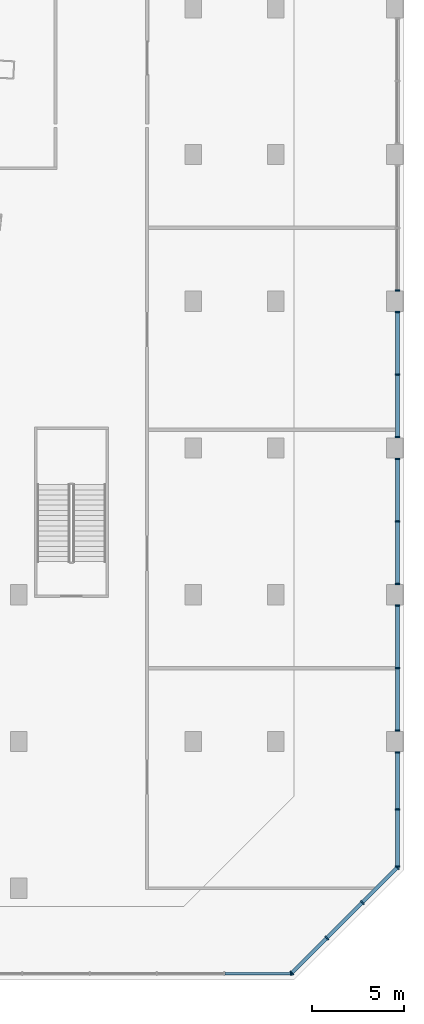
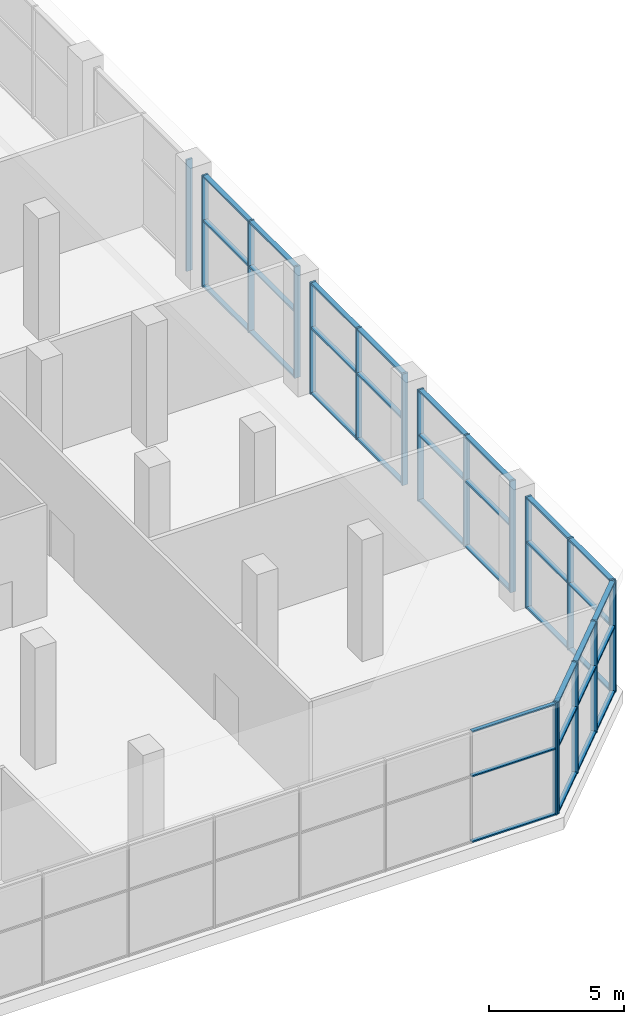
# One storey, part 4 of 26: 54 members, 7 elements without a shape of their own.
"""IFC4 building model written with IfcOpenShell, lengths in metres."""

from ifc_helpers import new_model, si_unit, direction, frame, origin, origin_2d, place, context, subcontext, project, spatial, rectangle, extrude, material, layer, layer_set, material_profile, profile_set, type_object, element, aggregate, save


model = new_model("IFC4")

# Units and contexts
model_context = context("Model", 3, precision=1e-05, world=origin(), true_north=direction((0.0, 1.0)))
body_context = subcontext(model_context, "Body", "Model", "MODEL_VIEW")
ifc_project = project(units=[si_unit("LENGTHUNIT", "METRE"), si_unit("AREAUNIT", "SQUARE_METRE"), si_unit("VOLUMEUNIT", "CUBIC_METRE"), si_unit("PLANEANGLEUNIT", "RADIAN"), si_unit("MASSUNIT", "GRAM", prefix="KILO")], contexts=[model_context])

# Site, building, storey
site_placement = place(None, origin())
site = spatial("IfcSite", under=ifc_project, at=site_placement, CompositionType="ELEMENT")
building_placement = place(site_placement, origin())
building = spatial("IfcBuilding", under=site, at=building_placement, Name="Alderwake Tower", CompositionType="ELEMENT")
storey_placement = place(building_placement, frame((0.0, 0.0, 8.0)))
storey = spatial("IfcBuildingStorey", under=building, at=storey_placement, Name="L01", CompositionType="ELEMENT", Elevation=8.0)

# Curtain wall, member
ifc_material_1 = material(Name="Bronze tinted glass in aluminium frame", Category="aluminium")
ifc_layer_1 = layer(ifc_material_1, 0.25)
ifc_layer_set_1 = layer_set([ifc_layer_1], Name="Curtain wall CW1 podium shopfront")
curtain_wall_type_1 = type_object("IfcCurtainWallType", Name="Curtain wall CW1 podium shopfront", PredefinedType="NOTDEFINED", material=ifc_layer_set_1)
curtain_wall_1_placement = place(storey_placement, origin())
curtain_wall_1 = element("IfcCurtainWall", 1, at=curtain_wall_1_placement, inside=storey, type_object=curtain_wall_type_1, Name="Curtain wall 1", PredefinedType="NOTDEFINED")
ifc_material_2 = material(Name="Aluminium bronze anodised", Category="aluminium")
ifc_material_profile_1 = material_profile(ifc_material_2, rectangle(XDim=0.199951171875, YDim=0.06005859375, at=origin_2d()), Name="Mullion MUA 60x200")
ifc_profile_set_1 = profile_set([ifc_material_profile_1], Name="Aluminium bronze anodised")
member_type_1 = type_object("IfcMemberType", Name="Mullion MUA 60x200", PredefinedType="MULLION", material=ifc_profile_set_1)
member_1_placement = place(storey_placement, frame((78.840087890625, 3.35009765625, 0.0), z_axis=(0.0, 0.0, 1.0), x_axis=(0.0, 1.0, 0.0)))
member_1 = element("IfcMember", 2, at=member_1_placement, type_object=member_type_1, Name="CW.01 mullion 20", PredefinedType="MULLION", context=body_context, shape_type="SweptSolid", body=[
    extrude(rectangle(XDim=0.199951171875, YDim=0.06005859375, at=origin_2d()), origin(), (0.0, 0.0, 1.0), 5.050048828125),
])

# Curtain wall, members
ifc_material_3 = material(Name="Bronze tinted glass in aluminium frame", Category="aluminium")
ifc_layer_2 = layer(ifc_material_3, 0.300048828125)
ifc_layer_set_2 = layer_set([ifc_layer_2], Name="Curtain wall CW2 station concourse wall")
curtain_wall_type_2 = type_object("IfcCurtainWallType", Name="Curtain wall CW2 station concourse wall", PredefinedType="NOTDEFINED", material=ifc_layer_set_2)
curtain_wall_2_placement = place(storey_placement, origin())
curtain_wall_2 = element("IfcCurtainWall", 3, at=curtain_wall_2_placement, inside=storey, type_object=curtain_wall_type_2, Name="Curtain wall 2", PredefinedType="NOTDEFINED")
ifc_material_4 = material(Name="Aluminium bronze anodised", Category="aluminium")
ifc_material_profile_2 = material_profile(ifc_material_4, rectangle(XDim=0.25, YDim=0.080078125, at=origin_2d()), Name="Mullion MUB 80x250")
ifc_profile_set_2 = profile_set([ifc_material_profile_2], Name="Aluminium bronze anodised")
member_type_2 = type_object("IfcMemberType", Name="Mullion MUB 80x250", PredefinedType="MULLION", material=ifc_profile_set_2)
member_2_placement = place(storey_placement, frame((78.88330078125, 3.378173828125, 0.0), z_axis=(0.0, 0.0, 1.0), x_axis=(-0.707106781187, 0.707106781187, 0.0)))
member_2 = element("IfcMember", 4, at=member_2_placement, type_object=member_type_2, Name="CW.02 mullion 1", PredefinedType="MULLION", context=body_context, shape_type="SweptSolid", body=[
    extrude(rectangle(XDim=0.25, YDim=0.080078125, at=origin_2d()), origin(), (0.0, 0.0, 1.0), 5.050048828125),
])
member_3_placement = place(storey_placement, frame((80.790283203125, 5.28515625, 0.0), z_axis=(0.0, 0.0, 1.0), x_axis=(-0.707106781187, 0.707106781187, 0.0)))
member_3 = element("IfcMember", 5, at=member_3_placement, type_object=member_type_2, Name="CW.02 mullion 2", PredefinedType="MULLION", context=body_context, shape_type="SweptSolid", body=[
    extrude(rectangle(XDim=0.25, YDim=0.080078125, at=origin_2d()), origin(), (0.0, 0.0, 1.0), 5.050048828125),
])
member_4_placement = place(storey_placement, frame((82.725341796875, 7.220458984375, 0.0), z_axis=(0.0, 0.0, 1.0), x_axis=(-0.707106781187, 0.707106781187, 0.0)))
member_4 = element("IfcMember", 6, at=member_4_placement, type_object=member_type_2, Name="CW.02 mullion 3", PredefinedType="MULLION", context=body_context, shape_type="SweptSolid", body=[
    extrude(rectangle(XDim=0.25, YDim=0.080078125, at=origin_2d()), origin(), (0.0, 0.0, 1.0), 5.050048828125),
])
member_5_placement = place(storey_placement, frame((84.63232421875, 9.127197265625, 0.0), z_axis=(0.0, 0.0, 1.0), x_axis=(-0.707106781187, 0.707106781187, 0.0)))
member_5 = element("IfcMember", 7, at=member_5_placement, type_object=member_type_2, Name="CW.02 mullion 4", PredefinedType="MULLION", context=body_context, shape_type="SweptSolid", body=[
    extrude(rectangle(XDim=0.25, YDim=0.080078125, at=origin_2d()), origin(), (0.0, 0.0, 1.0), 5.050048828125),
])

curtain_wall_3_placement = place(storey_placement, origin())
curtain_wall_3 = element("IfcCurtainWall", 8, at=curtain_wall_3_placement, inside=storey, type_object=curtain_wall_type_2, Name="Curtain wall 3", PredefinedType="NOTDEFINED")
member_6_placement = place(storey_placement, frame((84.64990234375, 9.18505859375, 0.0), z_axis=(0.0, 0.0, 1.0), x_axis=(-1.0, 0.0, 0.0)))
member_6 = element("IfcMember", 9, at=member_6_placement, type_object=member_type_2, Name="CW.03 mullion 1", PredefinedType="MULLION", context=body_context, shape_type="SweptSolid", body=[
    extrude(rectangle(XDim=0.25, YDim=0.080078125, at=origin_2d()), origin(), (0.0, 0.0, 1.0), 5.050048828125),
])
member_7_placement = place(storey_placement, frame((84.64990234375, 12.297607421875, 0.0), z_axis=(0.0, 0.0, 1.0), x_axis=(-1.0, 0.0, 0.0)))
member_7 = element("IfcMember", 10, at=member_7_placement, type_object=member_type_2, Name="CW.03 mullion 2", PredefinedType="MULLION", context=body_context, shape_type="SweptSolid", body=[
    extrude(rectangle(XDim=0.25, YDim=0.080078125, at=origin_2d()), origin(), (0.0, 0.0, 1.0), 5.050048828125),
])
member_8_placement = place(storey_placement, frame((84.64990234375, 15.409912109375, 0.0), z_axis=(0.0, 0.0, 1.0), x_axis=(-1.0, 0.0, 0.0)))
member_8 = element("IfcMember", 11, at=member_8_placement, type_object=member_type_2, Name="CW.03 mullion 3", PredefinedType="MULLION", context=body_context, shape_type="SweptSolid", body=[
    extrude(rectangle(XDim=0.25, YDim=0.080078125, at=origin_2d()), origin(), (0.0, 0.0, 1.0), 5.050048828125),
])

curtain_wall_4_placement = place(storey_placement, origin())
curtain_wall_4 = element("IfcCurtainWall", 12, at=curtain_wall_4_placement, inside=storey, type_object=curtain_wall_type_2, Name="Curtain wall 4", PredefinedType="NOTDEFINED")
member_9_placement = place(storey_placement, frame((84.64990234375, 16.590087890625, 0.0), z_axis=(0.0, 0.0, 1.0), x_axis=(-1.0, 0.0, 0.0)))
member_9 = element("IfcMember", 13, at=member_9_placement, type_object=member_type_2, Name="CW.04 mullion 1", PredefinedType="MULLION", context=body_context, shape_type="SweptSolid", body=[
    extrude(rectangle(XDim=0.25, YDim=0.080078125, at=origin_2d()), origin(), (0.0, 0.0, 1.0), 5.050048828125),
])
member_10_placement = place(storey_placement, frame((84.64990234375, 20.0, 0.0), z_axis=(0.0, 0.0, 1.0), x_axis=(-1.0, 0.0, 0.0)))
member_10 = element("IfcMember", 14, at=member_10_placement, type_object=member_type_2, Name="CW.04 mullion 2", PredefinedType="MULLION", context=body_context, shape_type="SweptSolid", body=[
    extrude(rectangle(XDim=0.25, YDim=0.080078125, at=origin_2d()), origin(), (0.0, 0.0, 1.0), 5.050048828125),
])
member_11_placement = place(storey_placement, frame((84.64990234375, 23.409912109375, 0.0), z_axis=(0.0, 0.0, 1.0), x_axis=(-1.0, 0.0, 0.0)))
member_11 = element("IfcMember", 15, at=member_11_placement, type_object=member_type_2, Name="CW.04 mullion 3", PredefinedType="MULLION", context=body_context, shape_type="SweptSolid", body=[
    extrude(rectangle(XDim=0.25, YDim=0.080078125, at=origin_2d()), origin(), (0.0, 0.0, 1.0), 5.050048828125),
])

curtain_wall_5_placement = place(storey_placement, origin())
curtain_wall_5 = element("IfcCurtainWall", 16, at=curtain_wall_5_placement, inside=storey, type_object=curtain_wall_type_2, Name="Curtain wall 5", PredefinedType="NOTDEFINED")
member_12_placement = place(storey_placement, frame((84.64990234375, 24.590087890625, 0.0), z_axis=(0.0, 0.0, 1.0), x_axis=(-1.0, 0.0, 0.0)))
member_12 = element("IfcMember", 17, at=member_12_placement, type_object=member_type_2, Name="CW.05 mullion 1", PredefinedType="MULLION", context=body_context, shape_type="SweptSolid", body=[
    extrude(rectangle(XDim=0.25, YDim=0.080078125, at=origin_2d()), origin(), (0.0, 0.0, 1.0), 5.050048828125),
])
member_13_placement = place(storey_placement, frame((84.64990234375, 28.0, 0.0), z_axis=(0.0, 0.0, 1.0), x_axis=(-1.0, 0.0, 0.0)))
member_13 = element("IfcMember", 18, at=member_13_placement, type_object=member_type_2, Name="CW.05 mullion 2", PredefinedType="MULLION", context=body_context, shape_type="SweptSolid", body=[
    extrude(rectangle(XDim=0.25, YDim=0.080078125, at=origin_2d()), origin(), (0.0, 0.0, 1.0), 5.050048828125),
])
member_14_placement = place(storey_placement, frame((84.64990234375, 31.409912109375, 0.0), z_axis=(0.0, 0.0, 1.0), x_axis=(-1.0, 0.0, 0.0)))
member_14 = element("IfcMember", 19, at=member_14_placement, type_object=member_type_2, Name="CW.05 mullion 3", PredefinedType="MULLION", context=body_context, shape_type="SweptSolid", body=[
    extrude(rectangle(XDim=0.25, YDim=0.080078125, at=origin_2d()), origin(), (0.0, 0.0, 1.0), 5.050048828125),
])

curtain_wall_6_placement = place(storey_placement, origin())
curtain_wall_6 = element("IfcCurtainWall", 20, at=curtain_wall_6_placement, inside=storey, type_object=curtain_wall_type_2, Name="Curtain wall 6", PredefinedType="NOTDEFINED")
member_15_placement = place(storey_placement, frame((84.64990234375, 32.590087890625, 0.0), z_axis=(0.0, 0.0, 1.0), x_axis=(-1.0, 0.0, 0.0)))
member_15 = element("IfcMember", 21, at=member_15_placement, type_object=member_type_2, Name="CW.06 mullion 1", PredefinedType="MULLION", context=body_context, shape_type="SweptSolid", body=[
    extrude(rectangle(XDim=0.25, YDim=0.080078125, at=origin_2d()), origin(), (0.0, 0.0, 1.0), 5.050048828125),
])
member_16_placement = place(storey_placement, frame((84.64990234375, 36.0, 0.0), z_axis=(0.0, 0.0, 1.0), x_axis=(-1.0, 0.0, 0.0)))
member_16 = element("IfcMember", 22, at=member_16_placement, type_object=member_type_2, Name="CW.06 mullion 2", PredefinedType="MULLION", context=body_context, shape_type="SweptSolid", body=[
    extrude(rectangle(XDim=0.25, YDim=0.080078125, at=origin_2d()), origin(), (0.0, 0.0, 1.0), 5.050048828125),
])
member_17_placement = place(storey_placement, frame((84.64990234375, 39.409912109375, 0.0), z_axis=(0.0, 0.0, 1.0), x_axis=(-1.0, 0.0, 0.0)))
member_17 = element("IfcMember", 23, at=member_17_placement, type_object=member_type_2, Name="CW.06 mullion 3", PredefinedType="MULLION", context=body_context, shape_type="SweptSolid", body=[
    extrude(rectangle(XDim=0.25, YDim=0.080078125, at=origin_2d()), origin(), (0.0, 0.0, 1.0), 5.050048828125),
])

# Curtain wall, member
curtain_wall_7_placement = place(storey_placement, origin())
curtain_wall_7 = element("IfcCurtainWall", 24, at=curtain_wall_7_placement, inside=storey, type_object=curtain_wall_type_2, Name="Curtain wall 7", PredefinedType="NOTDEFINED")
member_18_placement = place(storey_placement, frame((84.64990234375, 40.590087890625, 0.0), z_axis=(0.0, 0.0, 1.0), x_axis=(-1.0, 0.0, 0.0)))
member_18 = element("IfcMember", 25, at=member_18_placement, type_object=member_type_2, Name="CW.07 mullion 1", PredefinedType="MULLION", context=body_context, shape_type="SweptSolid", body=[
    extrude(rectangle(XDim=0.25, YDim=0.080078125, at=origin_2d()), origin(), (0.0, 0.0, 1.0), 5.050048828125),
])
aggregate(curtain_wall_7, [member_18])

# Member
ifc_material_5 = material(Name="Aluminium bronze anodised", Category="aluminium")
ifc_material_profile_3 = material_profile(ifc_material_5, rectangle(XDim=0.159912109375, YDim=0.06005859375, at=origin_2d()), Name="Transom TRA 60x160")
ifc_profile_set_3 = profile_set([ifc_material_profile_3], Name="Aluminium bronze anodised")
member_type_3 = type_object("IfcMemberType", Name="Transom TRA 60x160", PredefinedType="USERDEFINED", material=ifc_profile_set_3)
member_19_placement = place(storey_placement, frame((75.230224609375, 3.35009765625, 0.030029296875), z_axis=(1.0, 0.0, 0.0), x_axis=(0.0, 1.0, 0.0)))
member_19 = element("IfcMember", 26, at=member_19_placement, type_object=member_type_3, Name="CW.01 transom 19.1", ObjectType="TRANSOM", PredefinedType="USERDEFINED", context=body_context, shape_type="SweptSolid", body=[
    extrude(rectangle(XDim=0.159912109375, YDim=0.06005859375, at=origin_2d()), origin(), (0.0, 0.0, 1.0), 3.579833984375),
])

member_20_placement = place(storey_placement, frame((75.230224609375, 3.35009765625, 3.0), z_axis=(1.0, 0.0, 0.0), x_axis=(0.0, 1.0, 0.0)))
member_20 = element("IfcMember", 27, at=member_20_placement, type_object=member_type_3, Name="CW.01 transom 19.2", ObjectType="TRANSOM", PredefinedType="USERDEFINED", context=body_context, shape_type="SweptSolid", body=[
    extrude(rectangle(XDim=0.159912109375, YDim=0.06005859375, at=origin_2d()), origin(), (0.0, 0.0, 1.0), 3.579833984375),
])

member_21_placement = place(storey_placement, frame((75.230224609375, 3.35009765625, 5.02001953125), z_axis=(1.0, 0.0, 0.0), x_axis=(0.0, 1.0, 0.0)))
member_21 = element("IfcMember", 28, at=member_21_placement, type_object=member_type_3, Name="CW.01 transom 19.3", ObjectType="TRANSOM", PredefinedType="USERDEFINED", context=body_context, shape_type="SweptSolid", body=[
    extrude(rectangle(XDim=0.159912109375, YDim=0.06005859375, at=origin_2d()), origin(), (0.0, 0.0, 1.0), 3.579833984375),
])

aggregate(curtain_wall_1, [member_1, member_19, member_20, member_21])

ifc_material_6 = material(Name="Aluminium bronze anodised", Category="aluminium")
ifc_material_profile_4 = material_profile(ifc_material_6, rectangle(XDim=0.199951171875, YDim=0.080078125, at=origin_2d()), Name="Transom TRB 80x200")
ifc_profile_set_4 = profile_set([ifc_material_profile_4], Name="Aluminium bronze anodised")
member_type_4 = type_object("IfcMemberType", Name="Transom TRB 80x200", PredefinedType="USERDEFINED", material=ifc_profile_set_4)
member_22_placement = place(storey_placement, frame((78.91162109375, 3.406494140625, 0.0400390625), z_axis=(0.707106781187, 0.707106781187, 0.0), x_axis=(-0.707106781187, 0.707106781187, 0.0)))
member_22 = element("IfcMember", 29, at=member_22_placement, type_object=member_type_4, Name="CW.02 transom 1.1", ObjectType="TRANSOM", PredefinedType="USERDEFINED", context=body_context, shape_type="SweptSolid", body=[
    extrude(rectangle(XDim=0.199951171875, YDim=0.080078125, at=origin_2d()), origin(), (0.0, 0.0, 1.0), 2.61669921875),
])

member_23_placement = place(storey_placement, frame((78.91162109375, 3.406494140625, 3.0), z_axis=(0.707106781187, 0.707106781187, 0.0), x_axis=(-0.707106781187, 0.707106781187, 0.0)))
member_23 = element("IfcMember", 30, at=member_23_placement, type_object=member_type_4, Name="CW.02 transom 1.2", ObjectType="TRANSOM", PredefinedType="USERDEFINED", context=body_context, shape_type="SweptSolid", body=[
    extrude(rectangle(XDim=0.199951171875, YDim=0.080078125, at=origin_2d()), origin(), (0.0, 0.0, 1.0), 2.61669921875),
])

member_24_placement = place(storey_placement, frame((78.91162109375, 3.406494140625, 5.010009765625), z_axis=(0.707106781187, 0.707106781187, 0.0), x_axis=(-0.707106781187, 0.707106781187, 0.0)))
member_24 = element("IfcMember", 31, at=member_24_placement, type_object=member_type_4, Name="CW.02 transom 1.3", ObjectType="TRANSOM", PredefinedType="USERDEFINED", context=body_context, shape_type="SweptSolid", body=[
    extrude(rectangle(XDim=0.199951171875, YDim=0.080078125, at=origin_2d()), origin(), (0.0, 0.0, 1.0), 2.61669921875),
])

member_25_placement = place(storey_placement, frame((80.818603515625, 5.3134765625, 0.0400390625), z_axis=(0.707060830848, 0.707152728539, 0.0), x_axis=(-0.707152728539, 0.707060830848, 0.0)))
member_25 = element("IfcMember", 32, at=member_25_placement, type_object=member_type_4, Name="CW.02 transom 2.1", ObjectType="TRANSOM", PredefinedType="USERDEFINED", context=body_context, shape_type="SweptSolid", body=[
    extrude(rectangle(XDim=0.199951171875, YDim=0.080078125, at=origin_2d()), origin(), (0.0, 0.0, 1.0), 2.65673828125),
])

member_26_placement = place(storey_placement, frame((80.818603515625, 5.3134765625, 3.0), z_axis=(0.707060830848, 0.707152728539, 0.0), x_axis=(-0.707152728539, 0.707060830848, 0.0)))
member_26 = element("IfcMember", 33, at=member_26_placement, type_object=member_type_4, Name="CW.02 transom 2.2", ObjectType="TRANSOM", PredefinedType="USERDEFINED", context=body_context, shape_type="SweptSolid", body=[
    extrude(rectangle(XDim=0.199951171875, YDim=0.080078125, at=origin_2d()), origin(), (0.0, 0.0, 1.0), 2.65673828125),
])

member_27_placement = place(storey_placement, frame((80.818603515625, 5.3134765625, 5.010009765625), z_axis=(0.707060830848, 0.707152728539, 0.0), x_axis=(-0.707152728539, 0.707060830848, 0.0)))
member_27 = element("IfcMember", 34, at=member_27_placement, type_object=member_type_4, Name="CW.02 transom 2.3", ObjectType="TRANSOM", PredefinedType="USERDEFINED", context=body_context, shape_type="SweptSolid", body=[
    extrude(rectangle(XDim=0.199951171875, YDim=0.080078125, at=origin_2d()), origin(), (0.0, 0.0, 1.0), 2.65673828125),
])

member_28_placement = place(storey_placement, frame((82.753662109375, 7.248779296875, 0.0400390625), z_axis=(0.707106781187, 0.707106781187, 0.0), x_axis=(-0.707106781187, 0.707106781187, 0.0)))
member_28 = element("IfcMember", 35, at=member_28_placement, type_object=member_type_4, Name="CW.02 transom 3.1", ObjectType="TRANSOM", PredefinedType="USERDEFINED", context=body_context, shape_type="SweptSolid", body=[
    extrude(rectangle(XDim=0.199951171875, YDim=0.080078125, at=origin_2d()), origin(), (0.0, 0.0, 1.0), 2.61669921875),
])

member_29_placement = place(storey_placement, frame((82.753662109375, 7.248779296875, 3.0), z_axis=(0.707106781187, 0.707106781187, 0.0), x_axis=(-0.707106781187, 0.707106781187, 0.0)))
member_29 = element("IfcMember", 36, at=member_29_placement, type_object=member_type_4, Name="CW.02 transom 3.2", ObjectType="TRANSOM", PredefinedType="USERDEFINED", context=body_context, shape_type="SweptSolid", body=[
    extrude(rectangle(XDim=0.199951171875, YDim=0.080078125, at=origin_2d()), origin(), (0.0, 0.0, 1.0), 2.61669921875),
])

member_30_placement = place(storey_placement, frame((82.753662109375, 7.248779296875, 5.010009765625), z_axis=(0.707106781187, 0.707106781187, 0.0), x_axis=(-0.707106781187, 0.707106781187, 0.0)))
member_30 = element("IfcMember", 37, at=member_30_placement, type_object=member_type_4, Name="CW.02 transom 3.3", ObjectType="TRANSOM", PredefinedType="USERDEFINED", context=body_context, shape_type="SweptSolid", body=[
    extrude(rectangle(XDim=0.199951171875, YDim=0.080078125, at=origin_2d()), origin(), (0.0, 0.0, 1.0), 2.61669921875),
])

aggregate(curtain_wall_2, [member_2, member_3, member_4, member_5, member_22, member_23, member_24, member_25, member_26, member_27, member_28, member_29, member_30])

member_31_placement = place(storey_placement, frame((84.64990234375, 9.22509765625, 0.0400390625), z_axis=(0.0, 1.0, 0.0), x_axis=(-1.0, 0.0, 0.0)))
member_31 = element("IfcMember", 38, at=member_31_placement, type_object=member_type_4, Name="CW.03 transom 1.1", ObjectType="TRANSOM", PredefinedType="USERDEFINED", context=body_context, shape_type="SweptSolid", body=[
    extrude(rectangle(XDim=0.199951171875, YDim=0.080078125, at=origin_2d()), origin(), (0.0, 0.0, 1.0), 3.032470703125),
])

member_32_placement = place(storey_placement, frame((84.64990234375, 9.22509765625, 3.0), z_axis=(0.0, 1.0, 0.0), x_axis=(-1.0, 0.0, 0.0)))
member_32 = element("IfcMember", 39, at=member_32_placement, type_object=member_type_4, Name="CW.03 transom 1.2", ObjectType="TRANSOM", PredefinedType="USERDEFINED", context=body_context, shape_type="SweptSolid", body=[
    extrude(rectangle(XDim=0.199951171875, YDim=0.080078125, at=origin_2d()), origin(), (0.0, 0.0, 1.0), 3.032470703125),
])

member_33_placement = place(storey_placement, frame((84.64990234375, 9.22509765625, 5.010009765625), z_axis=(0.0, 1.0, 0.0), x_axis=(-1.0, 0.0, 0.0)))
member_33 = element("IfcMember", 40, at=member_33_placement, type_object=member_type_4, Name="CW.03 transom 1.3", ObjectType="TRANSOM", PredefinedType="USERDEFINED", context=body_context, shape_type="SweptSolid", body=[
    extrude(rectangle(XDim=0.199951171875, YDim=0.080078125, at=origin_2d()), origin(), (0.0, 0.0, 1.0), 3.032470703125),
])

member_34_placement = place(storey_placement, frame((84.64990234375, 12.33740234375, 0.0400390625), z_axis=(0.0, 1.0, 0.0), x_axis=(-1.0, 0.0, 0.0)))
member_34 = element("IfcMember", 41, at=member_34_placement, type_object=member_type_4, Name="CW.03 transom 2.1", ObjectType="TRANSOM", PredefinedType="USERDEFINED", context=body_context, shape_type="SweptSolid", body=[
    extrude(rectangle(XDim=0.199951171875, YDim=0.080078125, at=origin_2d()), origin(), (0.0, 0.0, 1.0), 3.03271484375),
])

member_35_placement = place(storey_placement, frame((84.64990234375, 12.33740234375, 3.0), z_axis=(0.0, 1.0, 0.0), x_axis=(-1.0, 0.0, 0.0)))
member_35 = element("IfcMember", 42, at=member_35_placement, type_object=member_type_4, Name="CW.03 transom 2.2", ObjectType="TRANSOM", PredefinedType="USERDEFINED", context=body_context, shape_type="SweptSolid", body=[
    extrude(rectangle(XDim=0.199951171875, YDim=0.080078125, at=origin_2d()), origin(), (0.0, 0.0, 1.0), 3.03271484375),
])

member_36_placement = place(storey_placement, frame((84.64990234375, 12.33740234375, 5.010009765625), z_axis=(0.0, 1.0, 0.0), x_axis=(-1.0, 0.0, 0.0)))
member_36 = element("IfcMember", 43, at=member_36_placement, type_object=member_type_4, Name="CW.03 transom 2.3", ObjectType="TRANSOM", PredefinedType="USERDEFINED", context=body_context, shape_type="SweptSolid", body=[
    extrude(rectangle(XDim=0.199951171875, YDim=0.080078125, at=origin_2d()), origin(), (0.0, 0.0, 1.0), 3.03271484375),
])

aggregate(curtain_wall_3, [member_6, member_7, member_8, member_31, member_32, member_33, member_34, member_35, member_36])

member_37_placement = place(storey_placement, frame((84.64990234375, 16.6298828125, 0.0400390625), z_axis=(0.0, 1.0, 0.0), x_axis=(-1.0, 0.0, 0.0)))
member_37 = element("IfcMember", 44, at=member_37_placement, type_object=member_type_4, Name="CW.04 transom 1.1", ObjectType="TRANSOM", PredefinedType="USERDEFINED", context=body_context, shape_type="SweptSolid", body=[
    extrude(rectangle(XDim=0.199951171875, YDim=0.080078125, at=origin_2d()), origin(), (0.0, 0.0, 1.0), 3.330078125),
])

member_38_placement = place(storey_placement, frame((84.64990234375, 16.6298828125, 3.0), z_axis=(0.0, 1.0, 0.0), x_axis=(-1.0, 0.0, 0.0)))
member_38 = element("IfcMember", 45, at=member_38_placement, type_object=member_type_4, Name="CW.04 transom 1.2", ObjectType="TRANSOM", PredefinedType="USERDEFINED", context=body_context, shape_type="SweptSolid", body=[
    extrude(rectangle(XDim=0.199951171875, YDim=0.080078125, at=origin_2d()), origin(), (0.0, 0.0, 1.0), 3.330078125),
])

member_39_placement = place(storey_placement, frame((84.64990234375, 16.6298828125, 5.010009765625), z_axis=(0.0, 1.0, 0.0), x_axis=(-1.0, 0.0, 0.0)))
member_39 = element("IfcMember", 46, at=member_39_placement, type_object=member_type_4, Name="CW.04 transom 1.3", ObjectType="TRANSOM", PredefinedType="USERDEFINED", context=body_context, shape_type="SweptSolid", body=[
    extrude(rectangle(XDim=0.199951171875, YDim=0.080078125, at=origin_2d()), origin(), (0.0, 0.0, 1.0), 3.330078125),
])

member_40_placement = place(storey_placement, frame((84.64990234375, 20.0400390625, 0.0400390625), z_axis=(0.0, 1.0, 0.0), x_axis=(-1.0, 0.0, 0.0)))
member_40 = element("IfcMember", 47, at=member_40_placement, type_object=member_type_4, Name="CW.04 transom 2.1", ObjectType="TRANSOM", PredefinedType="USERDEFINED", context=body_context, shape_type="SweptSolid", body=[
    extrude(rectangle(XDim=0.199951171875, YDim=0.080078125, at=origin_2d()), origin(), (0.0, 0.0, 1.0), 3.330078125),
])

member_41_placement = place(storey_placement, frame((84.64990234375, 20.0400390625, 3.0), z_axis=(0.0, 1.0, 0.0), x_axis=(-1.0, 0.0, 0.0)))
member_41 = element("IfcMember", 48, at=member_41_placement, type_object=member_type_4, Name="CW.04 transom 2.2", ObjectType="TRANSOM", PredefinedType="USERDEFINED", context=body_context, shape_type="SweptSolid", body=[
    extrude(rectangle(XDim=0.199951171875, YDim=0.080078125, at=origin_2d()), origin(), (0.0, 0.0, 1.0), 3.330078125),
])

member_42_placement = place(storey_placement, frame((84.64990234375, 20.0400390625, 5.010009765625), z_axis=(0.0, 1.0, 0.0), x_axis=(-1.0, 0.0, 0.0)))
member_42 = element("IfcMember", 49, at=member_42_placement, type_object=member_type_4, Name="CW.04 transom 2.3", ObjectType="TRANSOM", PredefinedType="USERDEFINED", context=body_context, shape_type="SweptSolid", body=[
    extrude(rectangle(XDim=0.199951171875, YDim=0.080078125, at=origin_2d()), origin(), (0.0, 0.0, 1.0), 3.330078125),
])

aggregate(curtain_wall_4, [member_9, member_10, member_11, member_37, member_38, member_39, member_40, member_41, member_42])

member_43_placement = place(storey_placement, frame((84.64990234375, 24.6298828125, 0.0400390625), z_axis=(0.0, 1.0, 0.0), x_axis=(-1.0, 0.0, 0.0)))
member_43 = element("IfcMember", 50, at=member_43_placement, type_object=member_type_4, Name="CW.05 transom 1.1", ObjectType="TRANSOM", PredefinedType="USERDEFINED", context=body_context, shape_type="SweptSolid", body=[
    extrude(rectangle(XDim=0.199951171875, YDim=0.080078125, at=origin_2d()), origin(), (0.0, 0.0, 1.0), 3.330078125),
])

member_44_placement = place(storey_placement, frame((84.64990234375, 24.6298828125, 3.0), z_axis=(0.0, 1.0, 0.0), x_axis=(-1.0, 0.0, 0.0)))
member_44 = element("IfcMember", 51, at=member_44_placement, type_object=member_type_4, Name="CW.05 transom 1.2", ObjectType="TRANSOM", PredefinedType="USERDEFINED", context=body_context, shape_type="SweptSolid", body=[
    extrude(rectangle(XDim=0.199951171875, YDim=0.080078125, at=origin_2d()), origin(), (0.0, 0.0, 1.0), 3.330078125),
])

member_45_placement = place(storey_placement, frame((84.64990234375, 24.6298828125, 5.010009765625), z_axis=(0.0, 1.0, 0.0), x_axis=(-1.0, 0.0, 0.0)))
member_45 = element("IfcMember", 52, at=member_45_placement, type_object=member_type_4, Name="CW.05 transom 1.3", ObjectType="TRANSOM", PredefinedType="USERDEFINED", context=body_context, shape_type="SweptSolid", body=[
    extrude(rectangle(XDim=0.199951171875, YDim=0.080078125, at=origin_2d()), origin(), (0.0, 0.0, 1.0), 3.330078125),
])

member_46_placement = place(storey_placement, frame((84.64990234375, 28.0400390625, 0.0400390625), z_axis=(0.0, 1.0, 0.0), x_axis=(-1.0, 0.0, 0.0)))
member_46 = element("IfcMember", 53, at=member_46_placement, type_object=member_type_4, Name="CW.05 transom 2.1", ObjectType="TRANSOM", PredefinedType="USERDEFINED", context=body_context, shape_type="SweptSolid", body=[
    extrude(rectangle(XDim=0.199951171875, YDim=0.080078125, at=origin_2d()), origin(), (0.0, 0.0, 1.0), 3.330078125),
])

member_47_placement = place(storey_placement, frame((84.64990234375, 28.0400390625, 3.0), z_axis=(0.0, 1.0, 0.0), x_axis=(-1.0, 0.0, 0.0)))
member_47 = element("IfcMember", 54, at=member_47_placement, type_object=member_type_4, Name="CW.05 transom 2.2", ObjectType="TRANSOM", PredefinedType="USERDEFINED", context=body_context, shape_type="SweptSolid", body=[
    extrude(rectangle(XDim=0.199951171875, YDim=0.080078125, at=origin_2d()), origin(), (0.0, 0.0, 1.0), 3.330078125),
])

member_48_placement = place(storey_placement, frame((84.64990234375, 28.0400390625, 5.010009765625), z_axis=(0.0, 1.0, 0.0), x_axis=(-1.0, 0.0, 0.0)))
member_48 = element("IfcMember", 55, at=member_48_placement, type_object=member_type_4, Name="CW.05 transom 2.3", ObjectType="TRANSOM", PredefinedType="USERDEFINED", context=body_context, shape_type="SweptSolid", body=[
    extrude(rectangle(XDim=0.199951171875, YDim=0.080078125, at=origin_2d()), origin(), (0.0, 0.0, 1.0), 3.330078125),
])

aggregate(curtain_wall_5, [member_12, member_13, member_14, member_43, member_44, member_45, member_46, member_47, member_48])

member_49_placement = place(storey_placement, frame((84.64990234375, 32.6298828125, 0.0400390625), z_axis=(0.0, 1.0, 0.0), x_axis=(-1.0, 0.0, 0.0)))
member_49 = element("IfcMember", 56, at=member_49_placement, type_object=member_type_4, Name="CW.06 transom 1.1", ObjectType="TRANSOM", PredefinedType="USERDEFINED", context=body_context, shape_type="SweptSolid", body=[
    extrude(rectangle(XDim=0.199951171875, YDim=0.080078125, at=origin_2d()), origin(), (0.0, 0.0, 1.0), 3.330078125),
])

member_50_placement = place(storey_placement, frame((84.64990234375, 32.6298828125, 3.0), z_axis=(0.0, 1.0, 0.0), x_axis=(-1.0, 0.0, 0.0)))
member_50 = element("IfcMember", 57, at=member_50_placement, type_object=member_type_4, Name="CW.06 transom 1.2", ObjectType="TRANSOM", PredefinedType="USERDEFINED", context=body_context, shape_type="SweptSolid", body=[
    extrude(rectangle(XDim=0.199951171875, YDim=0.080078125, at=origin_2d()), origin(), (0.0, 0.0, 1.0), 3.330078125),
])

member_51_placement = place(storey_placement, frame((84.64990234375, 32.6298828125, 5.010009765625), z_axis=(0.0, 1.0, 0.0), x_axis=(-1.0, 0.0, 0.0)))
member_51 = element("IfcMember", 58, at=member_51_placement, type_object=member_type_4, Name="CW.06 transom 1.3", ObjectType="TRANSOM", PredefinedType="USERDEFINED", context=body_context, shape_type="SweptSolid", body=[
    extrude(rectangle(XDim=0.199951171875, YDim=0.080078125, at=origin_2d()), origin(), (0.0, 0.0, 1.0), 3.330078125),
])

member_52_placement = place(storey_placement, frame((84.64990234375, 36.0400390625, 0.0400390625), z_axis=(0.0, 1.0, 0.0), x_axis=(-1.0, 0.0, 0.0)))
member_52 = element("IfcMember", 59, at=member_52_placement, type_object=member_type_4, Name="CW.06 transom 2.1", ObjectType="TRANSOM", PredefinedType="USERDEFINED", context=body_context, shape_type="SweptSolid", body=[
    extrude(rectangle(XDim=0.199951171875, YDim=0.080078125, at=origin_2d()), origin(), (0.0, 0.0, 1.0), 3.330078125),
])

member_53_placement = place(storey_placement, frame((84.64990234375, 36.0400390625, 3.0), z_axis=(0.0, 1.0, 0.0), x_axis=(-1.0, 0.0, 0.0)))
member_53 = element("IfcMember", 60, at=member_53_placement, type_object=member_type_4, Name="CW.06 transom 2.2", ObjectType="TRANSOM", PredefinedType="USERDEFINED", context=body_context, shape_type="SweptSolid", body=[
    extrude(rectangle(XDim=0.199951171875, YDim=0.080078125, at=origin_2d()), origin(), (0.0, 0.0, 1.0), 3.330078125),
])

member_54_placement = place(storey_placement, frame((84.64990234375, 36.0400390625, 5.010009765625), z_axis=(0.0, 1.0, 0.0), x_axis=(-1.0, 0.0, 0.0)))
member_54 = element("IfcMember", 61, at=member_54_placement, type_object=member_type_4, Name="CW.06 transom 2.3", ObjectType="TRANSOM", PredefinedType="USERDEFINED", context=body_context, shape_type="SweptSolid", body=[
    extrude(rectangle(XDim=0.199951171875, YDim=0.080078125, at=origin_2d()), origin(), (0.0, 0.0, 1.0), 3.330078125),
])

aggregate(curtain_wall_6, [member_15, member_16, member_17, member_49, member_50, member_51, member_52, member_53, member_54])

save(model, "model.ifc")
